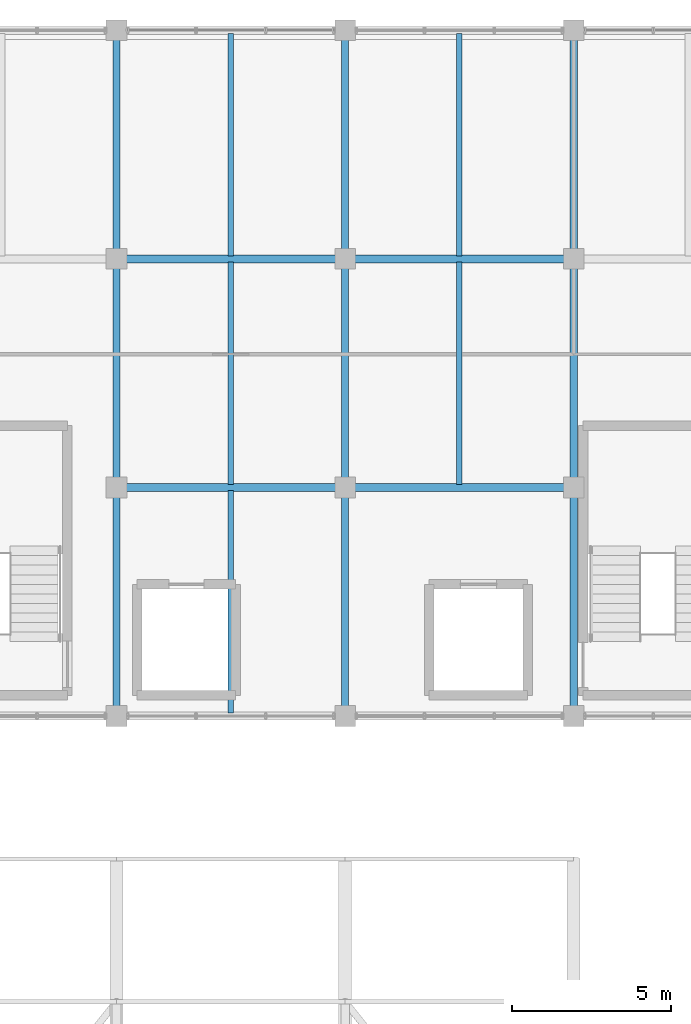
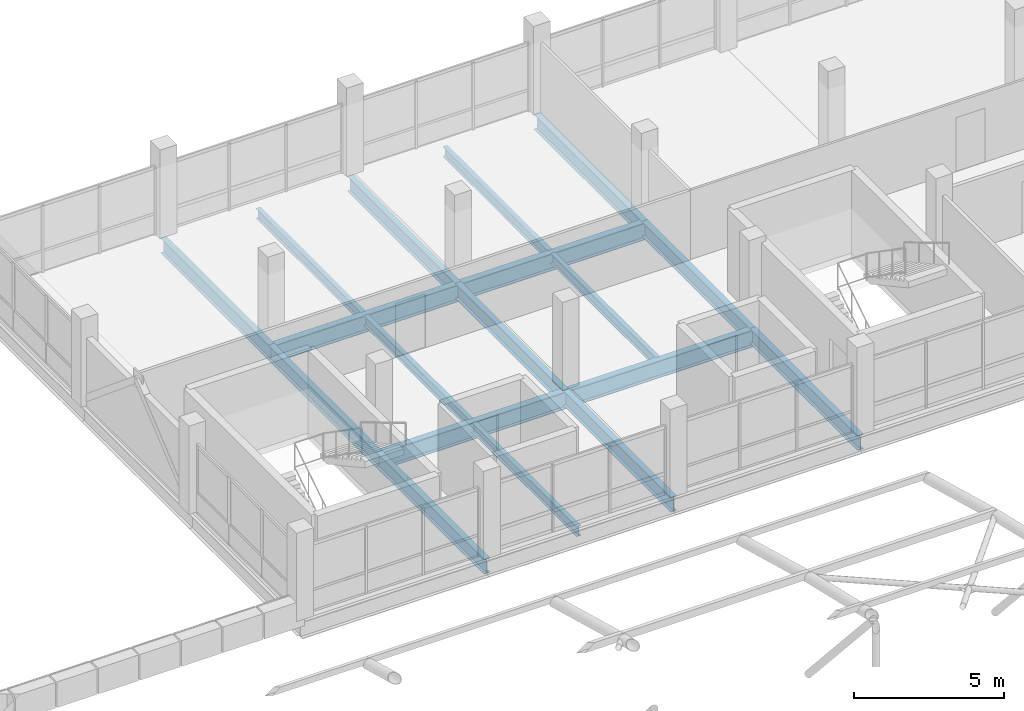
# One storey, part 38 of 96: 18 beams.
"""IFC4 building model written with IfcOpenShell, lengths in metres."""

from ifc_helpers import new_model, si_unit, direction, frame, origin, origin_2d, place, context, subcontext, project, spatial, i_section, extrude, material, material_profile, profile_set, type_object, element, save


model = new_model("IFC4")

# Units and contexts
model_context = context("Model", 3, precision=1e-05, world=origin(), true_north=direction((0.0, 1.0)))
body_context = subcontext(model_context, "Body", "Model", "MODEL_VIEW")
ifc_project = project(units=[si_unit("LENGTHUNIT", "METRE"), si_unit("AREAUNIT", "SQUARE_METRE"), si_unit("VOLUMEUNIT", "CUBIC_METRE"), si_unit("PLANEANGLEUNIT", "RADIAN"), si_unit("MASSUNIT", "GRAM", prefix="KILO")], contexts=[model_context])

# Site, building, storey
site_placement = place(None, origin())
site = spatial("IfcSite", under=ifc_project, at=site_placement, CompositionType="ELEMENT")
building_placement = place(site_placement, origin())
building = spatial("IfcBuilding", under=site, at=building_placement, Name="Yarey Park Central Fire Station", CompositionType="ELEMENT")
storey_placement = place(building_placement, frame((0.0, 0.0, 14.39990234375)))
storey = spatial("IfcBuildingStorey", under=building, at=storey_placement, Name="L04", CompositionType="ELEMENT", Elevation=14.39990234375)

# Beams
ifc_material = material(Name="Steel ASTM A992 Gr. 50", Category="steel")
ifc_material_profile_1 = material_profile(ifc_material, i_section(OverallWidth=0.22900390625, OverallDepth=0.612060546875, WebThickness=0.011962890625, FlangeThickness=0.01953125, at=origin_2d()), Name="W610x125")
ifc_profile_set_1 = profile_set([ifc_material_profile_1], Name="Steel ASTM A992 Gr. 50")
beam_type_1 = type_object("IfcBeamType", Name="STR_BM_W610", PredefinedType="BEAM", material=ifc_profile_set_1)
for number, where, z_axis, x_axis, name in (
    (1, (122.39990234375, 93.60009765625, -0.555908203125), (0.0, 1.0, 0.0), (-1.0, 0.0, 0.0), "BMY L04 X1224 Y936"),
    (2, (122.39990234375, 100.800048828125, -0.555908203125), (0.0, 1.0, 0.0), (-1.0, 0.0, 0.0), "BMY L04 X1224 Y1008"),
    (3, (122.39990234375, 108.0, -0.555908203125), (0.0, 1.0, 0.0), (-1.0, 0.0, 0.0), "BMY L04 X1224 Y1080"),
    (4, (129.60009765625, 93.60009765625, -0.555908203125), (0.0, 1.0, 0.0), (-1.0, 0.0, 0.0), "BMY L04 X1296 Y936"),
    (5, (129.60009765625, 100.800048828125, -0.555908203125), (0.0, 1.0, 0.0), (-1.0, 0.0, 0.0), "BMY L04 X1296 Y1008"),
    (6, (129.60009765625, 108.0, -0.555908203125), (0.0, 1.0, 0.0), (-1.0, 0.0, 0.0), "BMY L04 X1296 Y1080"),
    (7, (136.800048828125, 93.60009765625, -0.555908203125), (0.0, 1.0, 0.0), (-1.0, 0.0, 0.0), "BMY L04 X1368 Y936"),
    (8, (136.800048828125, 100.800048828125, -0.555908203125), (0.0, 1.0, 0.0), (-1.0, 0.0, 0.0), "BMY L04 X1368 Y1008"),
    (9, (136.800048828125, 108.0, -0.555908203125), (0.0, 1.0, 0.0), (-1.0, 0.0, 0.0), "BMY L04 X1368 Y1080"),
):
    element("IfcBeam", number, at=place(storey_placement, frame(where, z_axis=z_axis, x_axis=x_axis)), inside=storey, type_object=beam_type_1, Name=name, PredefinedType="BEAM", context=body_context, shape_type="SweptSolid", body=[
        extrude(i_section(OverallWidth=0.22900390625, OverallDepth=0.612060546875, WebThickness=0.011962890625, FlangeThickness=0.01953125, at=origin_2d()), origin(), (0.0, 0.0, 1.0), 7.199951171875),
    ])
ifc_material_profile_2 = material_profile(ifc_material, i_section(OverallWidth=0.256103515625, OverallDepth=0.693115234375, WebThickness=0.014404296875, FlangeThickness=0.023681640625, at=origin_2d()), Name="W690x170")
ifc_profile_set_2 = profile_set([ifc_material_profile_2], Name="Steel ASTM A992 Gr. 50")
beam_type_2 = type_object("IfcBeamType", Name="STR_BM_W690", PredefinedType="BEAM", material=ifc_profile_set_2)
beam_1_placement = place(storey_placement, frame((122.39990234375, 100.800048828125, -0.596435546875), z_axis=(1.0, 0.0, 0.0), x_axis=(0.0, 1.0, 0.0)))
element("IfcBeam", 10, at=beam_1_placement, inside=storey, type_object=beam_type_2, Name="BMX L04 Y1008 X1224", PredefinedType="BEAM", context=body_context, shape_type="SweptSolid", body=[
    extrude(i_section(OverallWidth=0.256103515625, OverallDepth=0.693115234375, WebThickness=0.014404296875, FlangeThickness=0.023681640625, at=origin_2d()), origin(), (0.0, 0.0, 1.0), 7.2001953125),
])
beam_2_placement = place(storey_placement, frame((129.60009765625, 100.800048828125, -0.596435546875), z_axis=(1.0, 0.0, 0.0), x_axis=(0.0, 1.0, 0.0)))
element("IfcBeam", 11, at=beam_2_placement, inside=storey, type_object=beam_type_2, Name="BMX L04 Y1008 X1296", PredefinedType="BEAM", context=body_context, shape_type="SweptSolid", body=[
    extrude(i_section(OverallWidth=0.256103515625, OverallDepth=0.693115234375, WebThickness=0.014404296875, FlangeThickness=0.023681640625, at=origin_2d()), origin(), (0.0, 0.0, 1.0), 7.199951171875),
])
beam_3_placement = place(storey_placement, frame((122.39990234375, 108.0, -0.596435546875), z_axis=(1.0, 0.0, 0.0), x_axis=(0.0, 1.0, 0.0)))
element("IfcBeam", 12, at=beam_3_placement, inside=storey, type_object=beam_type_2, Name="BMX L04 Y1080 X1224", PredefinedType="BEAM", context=body_context, shape_type="SweptSolid", body=[
    extrude(i_section(OverallWidth=0.256103515625, OverallDepth=0.693115234375, WebThickness=0.014404296875, FlangeThickness=0.023681640625, at=origin_2d()), origin(), (0.0, 0.0, 1.0), 7.2001953125),
])
beam_4_placement = place(storey_placement, frame((129.60009765625, 108.0, -0.596435546875), z_axis=(1.0, 0.0, 0.0), x_axis=(0.0, 1.0, 0.0)))
element("IfcBeam", 13, at=beam_4_placement, inside=storey, type_object=beam_type_2, Name="BMX L04 Y1080 X1296", PredefinedType="BEAM", context=body_context, shape_type="SweptSolid", body=[
    extrude(i_section(OverallWidth=0.256103515625, OverallDepth=0.693115234375, WebThickness=0.014404296875, FlangeThickness=0.023681640625, at=origin_2d()), origin(), (0.0, 0.0, 1.0), 7.199951171875),
])
ifc_material_profile_3 = material_profile(ifc_material, i_section(OverallWidth=0.177978515625, OverallDepth=0.406982421875, WebThickness=0.0078125, FlangeThickness=0.0126953125, at=origin_2d()), Name="W410x60")
ifc_profile_set_3 = profile_set([ifc_material_profile_3], Name="Steel ASTM A992 Gr. 50")
beam_type_3 = type_object("IfcBeamType", Name="STR_JST_W410", PredefinedType="JOIST", material=ifc_profile_set_3)
for number, where, z_axis, x_axis, name in (
    (14, (126.0, 93.695068359375, -0.453369140625), (0.0, 1.0, 0.0), (-1.0, 0.0, 0.0), "JST L04 X1260 Y936"),
    (15, (126.0, 100.89501953125, -0.453369140625), (0.0, 1.0, 0.0), (-1.0, 0.0, 0.0), "JST L04 X1260 Y1008"),
    (16, (126.0, 108.094970703125, -0.453369140625), (0.0, 1.0, 0.0), (-1.0, 0.0, 0.0), "JST L04 X1260 Y1080"),
    (17, (133.199951171875, 100.89501953125, -0.453369140625), (0.0, 1.0, 0.0), (-1.0, 0.0, 0.0), "JST L04 X1332 Y1008"),
    (18, (133.199951171875, 108.094970703125, -0.453369140625), (0.0, 1.0, 0.0), (-1.0, 0.0, 0.0), "JST L04 X1332 Y1080"),
):
    element("IfcBeam", number, at=place(storey_placement, frame(where, z_axis=z_axis, x_axis=x_axis)), inside=storey, type_object=beam_type_3, Name=name, PredefinedType="JOIST", context=body_context, shape_type="SweptSolid", body=[
        extrude(i_section(OverallWidth=0.177978515625, OverallDepth=0.406982421875, WebThickness=0.0078125, FlangeThickness=0.0126953125, at=origin_2d()), origin(), (0.0, 0.0, 1.0), 7.010009765625),
    ])

save(model, "model.ifc")
